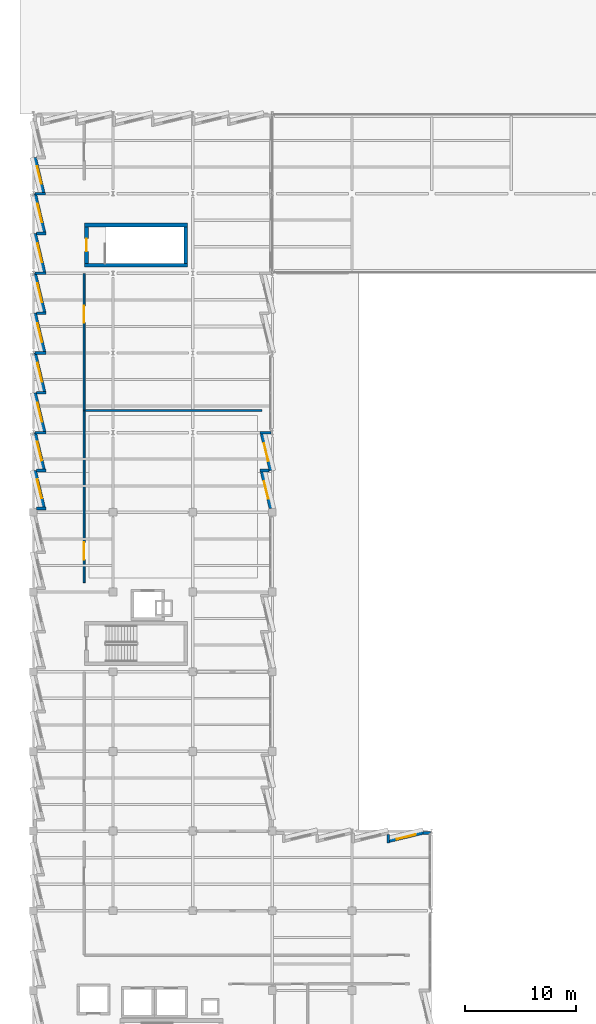
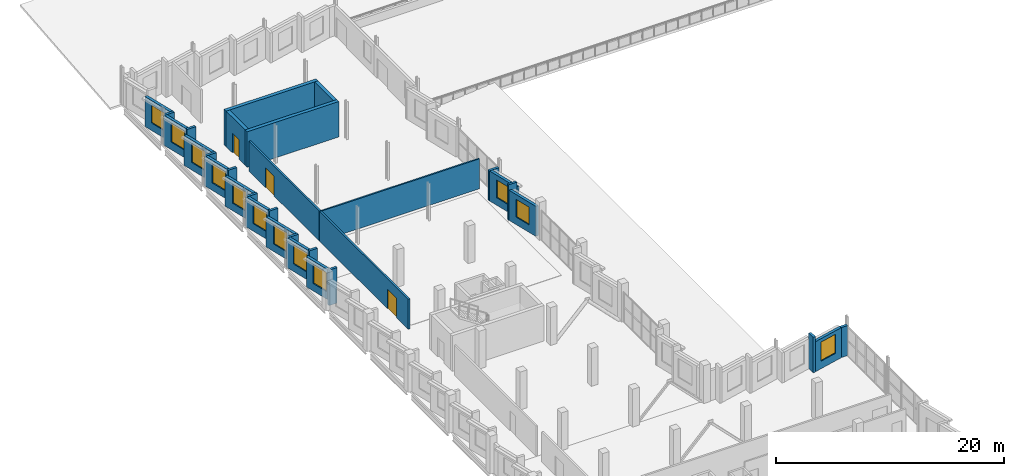
# One storey, part 32 of 38: 32 walls, 12 windows, 3 doors, 15 openings.
"""IFC4 building model written with IfcOpenShell, lengths in metres."""

from ifc_helpers import new_model, si_unit, direction, frame, frame_2d, origin, place, context, subcontext, project, spatial, rectangle, extrude, material, layer, layer_set, type_object, element, fill, save


model = new_model("IFC4")

# Units and contexts
model_context = context("Model", 3, precision=1e-05, world=origin(), true_north=direction((0.0, 1.0)))
body_context = subcontext(model_context, "Body", "Model", "MODEL_VIEW")
ifc_project = project(units=[si_unit("LENGTHUNIT", "METRE"), si_unit("AREAUNIT", "SQUARE_METRE"), si_unit("VOLUMEUNIT", "CUBIC_METRE"), si_unit("PLANEANGLEUNIT", "RADIAN"), si_unit("MASSUNIT", "GRAM", prefix="KILO")], contexts=[model_context])

# Site, building, storey
site_placement = place(None, origin())
site = spatial("IfcSite", under=ifc_project, at=site_placement, CompositionType="ELEMENT")
building_placement = place(site_placement, origin())
building = spatial("IfcBuilding", under=site, at=building_placement, Name="Kalmorath City Hall", CompositionType="ELEMENT")
storey_placement = place(building_placement, frame((0.0, 0.0, 18.89990234375)))
storey = spatial("IfcBuildingStorey", under=building, at=storey_placement, Name="L04", CompositionType="ELEMENT", Elevation=18.89990234375)

# Walls
ifc_material_1 = material(Name="Concrete C50/60", Category="concrete")
ifc_layer_1 = layer(ifc_material_1, 0.35009765625)
ifc_layer_set_1 = layer_set([ifc_layer_1], Name="Concrete C50/60")
wall_type_1 = type_object("IfcWallType", Name="Concrete core shear wall 350", PredefinedType="SHEAR", material=ifc_layer_set_1)
for number, where, z_axis, x_axis, name in (
    (1, (4.64990234375, 87.125, 0.0), (0.0, 0.0, 1.0), (1.0, 0.0, 0.0), "L04 C4 stair core shear wall S"),
    (2, (13.949951171875, 90.77490234375, 0.0), (0.0, 0.0, 1.0), (-1.0, 0.0, 0.0), "L04 C4 stair core shear wall N"),
):
    element("IfcWall", number, at=place(storey_placement, frame(where, z_axis=z_axis, x_axis=x_axis)), inside=storey, type_object=wall_type_1, Name=name, PredefinedType="SHEAR", context=body_context, shape_type="SweptSolid", body=[
        extrude(rectangle(XDim=9.300048828125, YDim=0.35009765625, at=frame_2d((4.64990234375, 0.0))), origin(), (0.0, 0.0, 1.0), 3.800048828125),
    ])

# Wall, opening, door
wall_1_placement = place(storey_placement, frame((4.824951171875, 90.60009765625, 0.0), z_axis=(0.0, 0.0, 1.0), x_axis=(0.0, -1.0, 0.0)))
wall_1 = element("IfcWall", 3, at=wall_1_placement, inside=storey, type_object=wall_type_1, Name="L04 C4 stair core shear wall W", PredefinedType="SHEAR", context=body_context, shape_type="SweptSolid", body=[
    extrude(rectangle(XDim=3.300048828125, YDim=0.35009765625, at=frame_2d((1.64990234375, 0.0))), origin(), (0.0, 0.0, 1.0), 3.800048828125),
])
opening_1_placement = place(wall_1_placement, frame((1.074951171875, 0.0, 0.0)))
opening_1 = element("IfcOpeningElement", 4, at=opening_1_placement, cuts=wall_1, Name="Opening D-L04-084", PredefinedType="OPENING", context=body_context, shape_type="SweptSolid", body=[
    extrude(rectangle(XDim=1.14990234375, YDim=2.10009765625, at=frame_2d((0.574951171875, 1.050048828125))), frame((0.0, 0.18505859375, 0.0), z_axis=(0.0, -1.0, 0.0), x_axis=(1.0, 0.0, 0.0)), (0.0, 0.0, 1.0), 0.3701171875),
])
ifc_material_2 = material(Name="Galvanised steel fire door", Category="steel")
door_type_1 = type_object("IfcDoorType", Name="Stair enclosure 90-min fire door 1150x2100", OperationType="NOTDEFINED", PredefinedType="DOOR", material=ifc_material_2)
door_1_placement = place(opening_1_placement, frame((1.14990234375, 0.0, 0.0), z_axis=(0.0, 0.0, 1.0), x_axis=(-1.0, 0.0, 0.0)))
door_1 = element("IfcDoor", 5, at=door_1_placement, inside=storey, type_object=door_type_1, Name="L04 door D-L04-084", OperationType="SINGLE_SWING_RIGHT", OverallHeight=2.10009765625, OverallWidth=1.14990234375, PredefinedType="DOOR", context=body_context, shape_type="SweptSolid", body=[
    extrude(rectangle(XDim=1.14990234375, YDim=2.10009765625, at=frame_2d((0.574951171875, 1.050048828125))), frame((0.0, 0.02490234375, 0.0), z_axis=(0.0, -1.0, 0.0), x_axis=(1.0, 0.0, 0.0)), (0.0, 0.0, 1.0), 0.050048828125),
])
fill(opening_1, door_1)

# Walls
wall_2_placement = place(storey_placement, frame((13.77490234375, 87.300048828125, 0.0), z_axis=(0.0, 0.0, 1.0), x_axis=(0.0, 1.0, 0.0)))
element("IfcWall", 6, at=wall_2_placement, inside=storey, type_object=wall_type_1, Name="L04 C4 stair core shear wall E", PredefinedType="SHEAR", context=body_context, shape_type="SweptSolid", body=[
    extrude(rectangle(XDim=3.300048828125, YDim=0.35009765625, at=frame_2d((1.64990234375, 0.0))), origin(), (0.0, 0.0, 1.0), 3.800048828125),
])
ifc_material_3 = material(Name="Acoustic metal-stud gypsum partition")
ifc_layer_2 = layer(ifc_material_3, 0.14990234375)
ifc_layer_set_2 = layer_set([ifc_layer_2], Name="Acoustic metal-stud gypsum partition")
wall_type_2 = type_object("IfcWallType", Name="Departmental suite partition 150", PredefinedType="PARTITIONING", material=ifc_layer_set_2)
wall_3_placement = place(storey_placement, frame((4.639892578125, 74.0, 0.0), z_axis=(0.0, 0.0, 1.0), x_axis=(1.0, 0.0, 0.0)))
element("IfcWall", 7, at=wall_3_placement, inside=storey, type_object=wall_type_2, Name="L04 interior partition PW4 #167", PredefinedType="PARTITIONING", context=body_context, shape_type="SweptSolid", body=[
    extrude(rectangle(XDim=16.02001953125, YDim=0.14990234375, at=frame_2d((8.010009765625, 0.0))), origin(), (0.0, 0.0, 1.0), 3.2060546875),
])

# Wall, opening, door
ifc_material_4 = material(Name="Fire-rated acoustic gypsum partition")
ifc_layer_3 = layer(ifc_material_4, 0.179931640625)
ifc_layer_set_3 = layer_set([ifc_layer_3], Name="Fire-rated acoustic gypsum partition")
wall_type_3 = type_object("IfcWallType", Name="One-hour corridor fire partition 180", PredefinedType="PARTITIONING", material=ifc_layer_set_3)
wall_4_placement = place(storey_placement, frame((4.60009765625, 58.43994140625, 0.0), z_axis=(0.0, 0.0, 1.0), x_axis=(0.0, 1.0, 0.0)))
wall_4 = element("IfcWall", 8, at=wall_4_placement, inside=storey, type_object=wall_type_3, Name="L04 interior partition PW2 #158", PredefinedType="PARTITIONING", context=body_context, shape_type="SweptSolid", body=[
    extrude(rectangle(XDim=15.52001953125, YDim=0.179931640625, at=frame_2d((7.760009765625, 0.0))), origin(), (0.0, 0.0, 1.0), 3.2080078125),
])
opening_2_placement = place(wall_4_placement, frame((2.054931640625, 0.0, 0.0)))
opening_2 = element("IfcOpeningElement", 9, at=opening_2_placement, cuts=wall_4, Name="Opening D-L04-246", PredefinedType="OPENING", context=body_context, shape_type="SweptSolid", body=[
    extrude(rectangle(XDim=1.60009765625, YDim=2.10009765625, at=frame_2d((0.800048828125, 1.050048828125))), frame((0.0, 0.099853515625, 0.0), z_axis=(0.0, -1.0, 0.0), x_axis=(1.0, 0.0, 0.0)), (0.0, 0.0, 1.0), 0.199951171875),
])
ifc_material_5 = material(Name="Acoustic hardwood fire door", Category="wood")
door_type_2 = type_object("IfcDoorType", Name="Committee double fire door 1600x2100", OperationType="DOUBLE_DOOR_SINGLE_SWING", PredefinedType="DOOR", material=ifc_material_5)
door_2_placement = place(opening_2_placement, origin())
door_2 = element("IfcDoor", 10, at=door_2_placement, inside=storey, type_object=door_type_2, Name="L04 door D-L04-246", OperationType="DOUBLE_DOOR_SINGLE_SWING", OverallHeight=2.10009765625, OverallWidth=1.60009765625, PredefinedType="DOOR", context=body_context, shape_type="SweptSolid", body=[
    extrude(rectangle(XDim=1.60009765625, YDim=2.10009765625, at=frame_2d((0.800048828125, 1.050048828125))), frame((0.0, 0.02490234375, 0.0), z_axis=(0.0, -1.0, 0.0), x_axis=(1.0, 0.0, 0.0)), (0.0, 0.0, 1.0), 0.050048828125),
])
fill(opening_2, door_2)

wall_5_placement = place(storey_placement, frame((4.60009765625, 74.0400390625, 0.0), z_axis=(0.0, 0.0, 1.0), x_axis=(0.0, 1.0, 0.0)))
wall_5 = element("IfcWall", 11, at=wall_5_placement, inside=storey, type_object=wall_type_3, Name="L04 interior partition PW2 #159", PredefinedType="PARTITIONING", context=body_context, shape_type="SweptSolid", body=[
    extrude(rectangle(XDim=12.320068359375, YDim=0.179931640625, at=frame_2d((6.16015625, 0.0))), origin(), (0.0, 0.0, 1.0), 3.2080078125),
])
opening_3_placement = place(wall_5_placement, frame((7.905029296875, 0.0, 0.0)))
opening_3 = element("IfcOpeningElement", 12, at=opening_3_placement, cuts=wall_5, Name="Opening D-L04-247", PredefinedType="OPENING", context=body_context, shape_type="SweptSolid", body=[
    extrude(rectangle(XDim=1.5, YDim=2.10009765625, at=frame_2d((0.75, 1.050048828125))), frame((0.0, 0.099853515625, 0.0), z_axis=(0.0, -1.0, 0.0), x_axis=(1.0, 0.0, 0.0)), (0.0, 0.0, 1.0), 0.199951171875),
])
ifc_material_6 = material(Name="Hardwood veneer door", Category="wood")
door_type_3 = type_object("IfcDoorType", Name="Conference suite double door 1500x2100", OperationType="DOUBLE_DOOR_SINGLE_SWING", PredefinedType="DOOR", material=ifc_material_6)
door_3_placement = place(opening_3_placement, origin())
door_3 = element("IfcDoor", 13, at=door_3_placement, inside=storey, type_object=door_type_3, Name="L04 door D-L04-247", OperationType="DOUBLE_DOOR_SINGLE_SWING", OverallHeight=2.10009765625, OverallWidth=1.5, PredefinedType="DOOR", context=body_context, shape_type="SweptSolid", body=[
    extrude(rectangle(XDim=1.5, YDim=2.10009765625, at=frame_2d((0.75, 1.050048828125))), frame((0.0, 0.02490234375, 0.0), z_axis=(0.0, -1.0, 0.0), x_axis=(1.0, 0.0, 0.0)), (0.0, 0.0, 1.0), 0.050048828125),
])
fill(opening_3, door_3)

# Walls
ifc_material_7 = material(Name="Precast concrete C40/50", Category="concrete")
ifc_layer_4 = layer(ifc_material_7, 0.239990234375)
ifc_layer_set_4 = layer_set([ifc_layer_4], Name="Precast concrete C40/50")
wall_type_4 = type_object("IfcWallType", Name="Precast sawtooth cheek wall 240", PredefinedType="SOLIDWALL", material=ifc_layer_set_4)
for number, where, z_axis, x_axis, name in (
    (14, (1.127197265625, 65.15087890625, 0.0), (0.0, 0.0, 1.0), (-1.0, 0.0, 0.0), "L04 sawtooth return cheek #783"),
    (15, (1.127197265625, 68.575439453125, 0.0), (0.0, 0.0, 1.0), (-1.0, 0.0, 0.0), "L04 sawtooth return cheek #785"),
):
    element("IfcWall", number, at=place(storey_placement, frame(where, z_axis=z_axis, x_axis=x_axis)), inside=storey, type_object=wall_type_4, Name=name, PredefinedType="SOLIDWALL", context=body_context, shape_type="SweptSolid", body=[
        extrude(rectangle(XDim=0.835205078125, YDim=0.239990234375, at=frame_2d((0.41748046875, 0.0))), origin(), (0.0, 0.0, 1.0), 3.800048828125),
    ])
wall_6_placement = place(storey_placement, frame((1.169189453125, 72.0, 0.0), z_axis=(0.0, 0.0, 1.0), x_axis=(-1.0, 0.0, 0.0)))
element("IfcWall", 16, at=wall_6_placement, inside=storey, type_object=wall_type_4, Name="L04 sawtooth return cheek #787", PredefinedType="SOLIDWALL", context=body_context, shape_type="SweptSolid", body=[
    extrude(rectangle(XDim=1.029296875, YDim=0.239990234375, at=frame_2d((0.5146484375, 0.0))), origin(), (0.0, 0.0, 1.0), 3.2080078125),
])
wall_7_placement = place(storey_placement, frame((1.169189453125, 75.60009765625, 0.0), z_axis=(0.0, 0.0, 1.0), x_axis=(-1.0, 0.0, 0.0)))
element("IfcWall", 17, at=wall_7_placement, inside=storey, type_object=wall_type_4, Name="L04 sawtooth return cheek #789", PredefinedType="SOLIDWALL", context=body_context, shape_type="SweptSolid", body=[
    extrude(rectangle(XDim=0.877197265625, YDim=0.239990234375, at=frame_2d((0.4384765625, 0.0))), origin(), (0.0, 0.0, 1.0), 3.800048828125),
])
wall_8_placement = place(storey_placement, frame((1.169189453125, 79.199951171875, 0.0), z_axis=(0.0, 0.0, 1.0), x_axis=(-1.0, 0.0, 0.0)))
element("IfcWall", 18, at=wall_8_placement, inside=storey, type_object=wall_type_4, Name="L04 sawtooth return cheek #791", PredefinedType="SOLIDWALL", context=body_context, shape_type="SweptSolid", body=[
    extrude(rectangle(XDim=1.029296875, YDim=0.239990234375, at=frame_2d((0.5146484375, 0.0))), origin(), (0.0, 0.0, 1.0), 3.2080078125),
])
wall_9_placement = place(storey_placement, frame((1.169189453125, 82.800048828125, 0.0), z_axis=(0.0, 0.0, 1.0), x_axis=(-1.0, 0.0, 0.0)))
element("IfcWall", 19, at=wall_9_placement, inside=storey, type_object=wall_type_4, Name="L04 sawtooth return cheek #793", PredefinedType="SOLIDWALL", context=body_context, shape_type="SweptSolid", body=[
    extrude(rectangle(XDim=0.877197265625, YDim=0.239990234375, at=frame_2d((0.4384765625, 0.0))), origin(), (0.0, 0.0, 1.0), 3.800048828125),
])
wall_10_placement = place(storey_placement, frame((1.169189453125, 86.39990234375, 0.0), z_axis=(0.0, 0.0, 1.0), x_axis=(-1.0, 0.0, 0.0)))
element("IfcWall", 20, at=wall_10_placement, inside=storey, type_object=wall_type_4, Name="L04 sawtooth return cheek #795", PredefinedType="SOLIDWALL", context=body_context, shape_type="SweptSolid", body=[
    extrude(rectangle(XDim=1.029296875, YDim=0.239990234375, at=frame_2d((0.5146484375, 0.0))), origin(), (0.0, 0.0, 1.0), 3.2080078125),
])
wall_11_placement = place(storey_placement, frame((1.169189453125, 90.0, 0.0), z_axis=(0.0, 0.0, 1.0), x_axis=(-1.0, 0.0, 0.0)))
element("IfcWall", 21, at=wall_11_placement, inside=storey, type_object=wall_type_4, Name="L04 sawtooth return cheek #797", PredefinedType="SOLIDWALL", context=body_context, shape_type="SweptSolid", body=[
    extrude(rectangle(XDim=0.877197265625, YDim=0.239990234375, at=frame_2d((0.4384765625, 0.0))), origin(), (0.0, 0.0, 1.0), 3.800048828125),
])
wall_12_placement = place(storey_placement, frame((1.087646484375, 93.60009765625, 0.0), z_axis=(0.0, 0.0, 1.0), x_axis=(-1.0, 0.0, 0.0)))
element("IfcWall", 22, at=wall_12_placement, inside=storey, type_object=wall_type_4, Name="L04 sawtooth return cheek #800", PredefinedType="SOLIDWALL", context=body_context, shape_type="SweptSolid", body=[
    extrude(rectangle(XDim=0.94775390625, YDim=0.239990234375, at=frame_2d((0.473876953125, 0.0))), origin(), (0.0, 0.0, 1.0), 3.2080078125),
])
wall_13_placement = place(storey_placement, frame((20.472900390625, 72.0, 0.0), z_axis=(0.0, 0.0, 1.0), x_axis=(1.0, 0.0, 0.0)))
element("IfcWall", 23, at=wall_13_placement, inside=storey, type_object=wall_type_4, Name="L04 sawtooth return cheek #824", PredefinedType="SOLIDWALL", context=body_context, shape_type="SweptSolid", body=[
    extrude(rectangle(XDim=0.987060546875, YDim=0.239990234375, at=frame_2d((0.49365234375, 0.0))), origin(), (0.0, 0.0, 1.0), 3.2080078125),
])
wall_14_placement = place(storey_placement, frame((20.472900390625, 68.575439453125, 0.0), z_axis=(0.0, 0.0, 1.0), x_axis=(1.0, 0.0, 0.0)))
element("IfcWall", 24, at=wall_14_placement, inside=storey, type_object=wall_type_4, Name="L04 sawtooth return cheek #826", PredefinedType="SOLIDWALL", context=body_context, shape_type="SweptSolid", body=[
    extrude(rectangle(XDim=0.835205078125, YDim=0.239990234375, at=frame_2d((0.41748046875, 0.0))), origin(), (0.0, 0.0, 1.0), 3.800048828125),
])
wall_15_placement = place(storey_placement, frame((32.06005859375, 34.93701171875, 0.0), z_axis=(0.0, 0.0, 1.0), x_axis=(0.0, 1.0, 0.0)))
element("IfcWall", 25, at=wall_15_placement, inside=storey, type_object=wall_type_4, Name="L04 sawtooth return cheek #845", PredefinedType="SOLIDWALL", context=body_context, shape_type="SweptSolid", body=[
    extrude(rectangle(XDim=0.77099609375, YDim=0.239990234375, at=frame_2d((0.385498046875, 0.0))), origin(), (0.0, 0.0, 1.0), 3.800048828125),
])

# Wall, opening, window
ifc_material_8 = material(Name="Precast concrete C40/50", Category="concrete")
ifc_layer_5 = layer(ifc_material_8, 0.280029296875)
ifc_layer_set_5 = layer_set([ifc_layer_5], Name="Precast concrete C40/50")
wall_type_5 = type_object("IfcWallType", Name="Precast sawtooth facade wall 280", PredefinedType="SOLIDWALL", material=ifc_layer_set_5)
wall_16_placement = place(storey_placement, frame((0.9599609375, 65.243408203125, 0.0), z_axis=(0.0, 0.0, 1.0), x_axis=(-0.233472652325, 0.972363368611, 0.0)))
wall_16 = element("IfcWall", 26, at=wall_16_placement, inside=storey, type_object=wall_type_5, Name="L04 sawtooth precast frame #782", PredefinedType="SOLIDWALL", context=body_context, shape_type="SweptSolid", body=[
    extrude(rectangle(XDim=3.4267578125, YDim=0.280029296875, at=frame_2d((1.71337890625, 0.0))), origin(), (0.0, 0.0, 1.0), 3.216064453125),
])
opening_4_placement = place(wall_16_placement, frame((0.83837890625, 0.0, 0.800048828125)))
opening_4 = element("IfcOpeningElement", 27, at=opening_4_placement, cuts=wall_16, Name="Opening WN1", PredefinedType="OPENING", context=body_context, shape_type="SweptSolid", body=[
    extrude(rectangle(XDim=1.75, YDim=2.050048828125, at=frame_2d((0.875, 1.02490234375))), frame((0.0, 0.14990234375, 0.0), z_axis=(0.0, -1.0, 0.0), x_axis=(1.0, 0.0, 0.0)), (0.0, 0.0, 1.0), 0.300048828125),
])
ifc_material_9 = material(Name="Aluminium and laminated glass", Category="aluminium")
window_type_1 = type_object("IfcWindowType", Name="Sawtooth hurricane window 1750x2050", PartitioningType="SINGLE_PANEL", PredefinedType="WINDOW", material=ifc_material_9)
window_1_placement = place(opening_4_placement, origin())
window_1 = element("IfcWindow", 28, at=window_1_placement, inside=storey, type_object=window_type_1, Name="L04 window WN1-410", OverallHeight=2.050048828125, OverallWidth=1.75, PartitioningType="SINGLE_PANEL", PredefinedType="WINDOW", context=body_context, shape_type="SweptSolid", body=[
    extrude(rectangle(XDim=1.75, YDim=2.050048828125, at=frame_2d((0.875, 1.02490234375))), frame((0.0, 0.030029296875, 0.0), z_axis=(0.0, -1.0, 0.0), x_axis=(1.0, 0.0, 0.0)), (0.0, 0.0, 1.0), 0.06005859375),
])
fill(opening_4, window_1)

wall_17_placement = place(storey_placement, frame((0.9599609375, 68.66796875, 0.0), z_axis=(0.0, 0.0, 1.0), x_axis=(-0.233472652325, 0.972363368611, 0.0)))
wall_17 = element("IfcWall", 29, at=wall_17_placement, inside=storey, type_object=wall_type_5, Name="L04 sawtooth precast frame #784", PredefinedType="SOLIDWALL", context=body_context, shape_type="SweptSolid", body=[
    extrude(rectangle(XDim=3.4267578125, YDim=0.280029296875, at=frame_2d((1.71337890625, 0.0))), origin(), (0.0, 0.0, 1.0), 3.2080078125),
])
opening_5_placement = place(wall_17_placement, frame((0.83837890625, 0.0, 0.800048828125)))
opening_5 = element("IfcOpeningElement", 30, at=opening_5_placement, cuts=wall_17, Name="Opening WN1", PredefinedType="OPENING", context=body_context, shape_type="SweptSolid", body=[
    extrude(rectangle(XDim=1.75, YDim=2.050048828125, at=frame_2d((0.875, 1.02490234375))), frame((0.0, 0.14990234375, 0.0), z_axis=(0.0, -1.0, 0.0), x_axis=(1.0, 0.0, 0.0)), (0.0, 0.0, 1.0), 0.300048828125),
])
window_2_placement = place(opening_5_placement, origin())
window_2 = element("IfcWindow", 31, at=window_2_placement, inside=storey, type_object=window_type_1, Name="L04 window WN1-411", OverallHeight=2.050048828125, OverallWidth=1.75, PartitioningType="SINGLE_PANEL", PredefinedType="WINDOW", context=body_context, shape_type="SweptSolid", body=[
    extrude(rectangle(XDim=1.75, YDim=2.050048828125, at=frame_2d((0.875, 1.02490234375))), frame((0.0, 0.030029296875, 0.0), z_axis=(0.0, -1.0, 0.0), x_axis=(1.0, 0.0, 0.0)), (0.0, 0.0, 1.0), 0.06005859375),
])
fill(opening_5, window_2)

wall_18_placement = place(storey_placement, frame((1.002197265625, 72.09228515625, 0.0), z_axis=(0.0, 0.0, 1.0), x_axis=(-0.233480453725, 0.972361495396, 0.0)))
wall_18 = element("IfcWall", 32, at=wall_18_placement, inside=storey, type_object=wall_type_5, Name="L04 sawtooth precast frame #786", PredefinedType="SOLIDWALL", context=body_context, shape_type="SweptSolid", body=[
    extrude(rectangle(XDim=3.607421875, YDim=0.280029296875, at=frame_2d((1.8037109375, 0.0))), origin(), (0.0, 0.0, 1.0), 3.2080078125),
])
opening_6_placement = place(wall_18_placement, frame((0.9287109375, 0.0, 0.800048828125)))
opening_6 = element("IfcOpeningElement", 33, at=opening_6_placement, cuts=wall_18, Name="Opening WN1", PredefinedType="OPENING", context=body_context, shape_type="SweptSolid", body=[
    extrude(rectangle(XDim=1.75, YDim=2.050048828125, at=frame_2d((0.875, 1.02490234375))), frame((0.0, 0.14990234375, 0.0), z_axis=(0.0, -1.0, 0.0), x_axis=(1.0, 0.0, 0.0)), (0.0, 0.0, 1.0), 0.300048828125),
])
window_3_placement = place(opening_6_placement, origin())
window_3 = element("IfcWindow", 34, at=window_3_placement, inside=storey, type_object=window_type_1, Name="L04 window WN1-412", OverallHeight=2.050048828125, OverallWidth=1.75, PartitioningType="SINGLE_PANEL", PredefinedType="WINDOW", context=body_context, shape_type="SweptSolid", body=[
    extrude(rectangle(XDim=1.75, YDim=2.050048828125, at=frame_2d((0.875, 1.02490234375))), frame((0.0, 0.030029296875, 0.0), z_axis=(0.0, -1.0, 0.0), x_axis=(1.0, 0.0, 0.0)), (0.0, 0.0, 1.0), 0.06005859375),
])
fill(opening_6, window_3)

wall_19_placement = place(storey_placement, frame((1.002197265625, 75.6923828125, 0.0), z_axis=(0.0, 0.0, 1.0), x_axis=(-0.233495818898, 0.972357805829, 0.0)))
wall_19 = element("IfcWall", 35, at=wall_19_placement, inside=storey, type_object=wall_type_5, Name="L04 sawtooth precast frame #788", PredefinedType="SOLIDWALL", context=body_context, shape_type="SweptSolid", body=[
    extrude(rectangle(XDim=3.607177734375, YDim=0.280029296875, at=frame_2d((1.8037109375, 0.0))), origin(), (0.0, 0.0, 1.0), 3.2080078125),
])
opening_7_placement = place(wall_19_placement, frame((0.9287109375, 0.0, 0.800048828125)))
opening_7 = element("IfcOpeningElement", 36, at=opening_7_placement, cuts=wall_19, Name="Opening WN1", PredefinedType="OPENING", context=body_context, shape_type="SweptSolid", body=[
    extrude(rectangle(XDim=1.75, YDim=2.050048828125, at=frame_2d((0.875, 1.02490234375))), frame((0.0, 0.14990234375, 0.0), z_axis=(0.0, -1.0, 0.0), x_axis=(1.0, 0.0, 0.0)), (0.0, 0.0, 1.0), 0.300048828125),
])
window_4_placement = place(opening_7_placement, origin())
window_4 = element("IfcWindow", 37, at=window_4_placement, inside=storey, type_object=window_type_1, Name="L04 window WN1-413", OverallHeight=2.050048828125, OverallWidth=1.75, PartitioningType="SINGLE_PANEL", PredefinedType="WINDOW", context=body_context, shape_type="SweptSolid", body=[
    extrude(rectangle(XDim=1.75, YDim=2.050048828125, at=frame_2d((0.875, 1.02490234375))), frame((0.0, 0.030029296875, 0.0), z_axis=(0.0, -1.0, 0.0), x_axis=(1.0, 0.0, 0.0)), (0.0, 0.0, 1.0), 0.06005859375),
])
fill(opening_7, window_4)

wall_20_placement = place(storey_placement, frame((1.002197265625, 79.29248046875, 0.0), z_axis=(0.0, 0.0, 1.0), x_axis=(-0.233495818898, 0.972357805829, 0.0)))
wall_20 = element("IfcWall", 38, at=wall_20_placement, inside=storey, type_object=wall_type_5, Name="L04 sawtooth precast frame #790", PredefinedType="SOLIDWALL", context=body_context, shape_type="SweptSolid", body=[
    extrude(rectangle(XDim=3.607177734375, YDim=0.280029296875, at=frame_2d((1.8037109375, 0.0))), origin(), (0.0, 0.0, 1.0), 3.2080078125),
])
opening_8_placement = place(wall_20_placement, frame((0.9287109375, 0.0, 0.800048828125)))
opening_8 = element("IfcOpeningElement", 39, at=opening_8_placement, cuts=wall_20, Name="Opening WN1", PredefinedType="OPENING", context=body_context, shape_type="SweptSolid", body=[
    extrude(rectangle(XDim=1.75, YDim=2.050048828125, at=frame_2d((0.875, 1.02490234375))), frame((0.0, 0.14990234375, 0.0), z_axis=(0.0, -1.0, 0.0), x_axis=(1.0, 0.0, 0.0)), (0.0, 0.0, 1.0), 0.300048828125),
])
window_5_placement = place(opening_8_placement, origin())
window_5 = element("IfcWindow", 40, at=window_5_placement, inside=storey, type_object=window_type_1, Name="L04 window WN1-414", OverallHeight=2.050048828125, OverallWidth=1.75, PartitioningType="SINGLE_PANEL", PredefinedType="WINDOW", context=body_context, shape_type="SweptSolid", body=[
    extrude(rectangle(XDim=1.75, YDim=2.050048828125, at=frame_2d((0.875, 1.02490234375))), frame((0.0, 0.030029296875, 0.0), z_axis=(0.0, -1.0, 0.0), x_axis=(1.0, 0.0, 0.0)), (0.0, 0.0, 1.0), 0.06005859375),
])
fill(opening_8, window_5)

wall_21_placement = place(storey_placement, frame((1.002197265625, 82.892333984375, 0.0), z_axis=(0.0, 0.0, 1.0), x_axis=(-0.233495818898, 0.972357805829, 0.0)))
wall_21 = element("IfcWall", 41, at=wall_21_placement, inside=storey, type_object=wall_type_5, Name="L04 sawtooth precast frame #792", PredefinedType="SOLIDWALL", context=body_context, shape_type="SweptSolid", body=[
    extrude(rectangle(XDim=3.607177734375, YDim=0.280029296875, at=frame_2d((1.8037109375, 0.0))), origin(), (0.0, 0.0, 1.0), 3.2080078125),
])
opening_9_placement = place(wall_21_placement, frame((0.9287109375, 0.0, 0.800048828125)))
opening_9 = element("IfcOpeningElement", 42, at=opening_9_placement, cuts=wall_21, Name="Opening WN1", PredefinedType="OPENING", context=body_context, shape_type="SweptSolid", body=[
    extrude(rectangle(XDim=1.75, YDim=2.050048828125, at=frame_2d((0.875, 1.02490234375))), frame((0.0, 0.14990234375, 0.0), z_axis=(0.0, -1.0, 0.0), x_axis=(1.0, 0.0, 0.0)), (0.0, 0.0, 1.0), 0.300048828125),
])
window_6_placement = place(opening_9_placement, origin())
window_6 = element("IfcWindow", 43, at=window_6_placement, inside=storey, type_object=window_type_1, Name="L04 window WN1-415", OverallHeight=2.050048828125, OverallWidth=1.75, PartitioningType="SINGLE_PANEL", PredefinedType="WINDOW", context=body_context, shape_type="SweptSolid", body=[
    extrude(rectangle(XDim=1.75, YDim=2.050048828125, at=frame_2d((0.875, 1.02490234375))), frame((0.0, 0.030029296875, 0.0), z_axis=(0.0, -1.0, 0.0), x_axis=(1.0, 0.0, 0.0)), (0.0, 0.0, 1.0), 0.06005859375),
])
fill(opening_9, window_6)

wall_22_placement = place(storey_placement, frame((1.002197265625, 86.492431640625, 0.0), z_axis=(0.0, 0.0, 1.0), x_axis=(-0.233495818898, 0.972357805829, 0.0)))
wall_22 = element("IfcWall", 44, at=wall_22_placement, inside=storey, type_object=wall_type_5, Name="L04 sawtooth precast frame #794", PredefinedType="SOLIDWALL", context=body_context, shape_type="SweptSolid", body=[
    extrude(rectangle(XDim=3.607177734375, YDim=0.280029296875, at=frame_2d((1.8037109375, 0.0))), origin(), (0.0, 0.0, 1.0), 3.2080078125),
])
opening_10_placement = place(wall_22_placement, frame((0.9287109375, 0.0, 0.800048828125)))
opening_10 = element("IfcOpeningElement", 45, at=opening_10_placement, cuts=wall_22, Name="Opening WN1", PredefinedType="OPENING", context=body_context, shape_type="SweptSolid", body=[
    extrude(rectangle(XDim=1.75, YDim=2.050048828125, at=frame_2d((0.875, 1.02490234375))), frame((0.0, 0.14990234375, 0.0), z_axis=(0.0, -1.0, 0.0), x_axis=(1.0, 0.0, 0.0)), (0.0, 0.0, 1.0), 0.300048828125),
])
window_7_placement = place(opening_10_placement, origin())
window_7 = element("IfcWindow", 46, at=window_7_placement, inside=storey, type_object=window_type_1, Name="L04 window WN1-416", OverallHeight=2.050048828125, OverallWidth=1.75, PartitioningType="SINGLE_PANEL", PredefinedType="WINDOW", context=body_context, shape_type="SweptSolid", body=[
    extrude(rectangle(XDim=1.75, YDim=2.050048828125, at=frame_2d((0.875, 1.02490234375))), frame((0.0, 0.030029296875, 0.0), z_axis=(0.0, -1.0, 0.0), x_axis=(1.0, 0.0, 0.0)), (0.0, 0.0, 1.0), 0.06005859375),
])
fill(opening_10, window_7)

wall_23_placement = place(storey_placement, frame((1.002197265625, 90.09228515625, 0.0), z_axis=(0.0, 0.0, 1.0), x_axis=(-0.233480453725, 0.972361495396, 0.0)))
wall_23 = element("IfcWall", 47, at=wall_23_placement, inside=storey, type_object=wall_type_5, Name="L04 sawtooth precast frame #796", PredefinedType="SOLIDWALL", context=body_context, shape_type="SweptSolid", body=[
    extrude(rectangle(XDim=3.607421875, YDim=0.280029296875, at=frame_2d((1.8037109375, 0.0))), origin(), (0.0, 0.0, 1.0), 3.2080078125),
])
opening_11_placement = place(wall_23_placement, frame((0.9287109375, 0.0, 0.800048828125)))
opening_11 = element("IfcOpeningElement", 48, at=opening_11_placement, cuts=wall_23, Name="Opening WN1", PredefinedType="OPENING", context=body_context, shape_type="SweptSolid", body=[
    extrude(rectangle(XDim=1.75, YDim=2.050048828125, at=frame_2d((0.875, 1.02490234375))), frame((0.0, 0.14990234375, 0.0), z_axis=(0.0, -1.0, 0.0), x_axis=(1.0, 0.0, 0.0)), (0.0, 0.0, 1.0), 0.300048828125),
])
window_8_placement = place(opening_11_placement, origin())
window_8 = element("IfcWindow", 49, at=window_8_placement, inside=storey, type_object=window_type_1, Name="L04 window WN1-417", OverallHeight=2.050048828125, OverallWidth=1.75, PartitioningType="SINGLE_PANEL", PredefinedType="WINDOW", context=body_context, shape_type="SweptSolid", body=[
    extrude(rectangle(XDim=1.75, YDim=2.050048828125, at=frame_2d((0.875, 1.02490234375))), frame((0.0, 0.030029296875, 0.0), z_axis=(0.0, -1.0, 0.0), x_axis=(1.0, 0.0, 0.0)), (0.0, 0.0, 1.0), 0.06005859375),
])
fill(opening_11, window_8)

wall_24_placement = place(storey_placement, frame((0.92041015625, 93.6923828125, 0.0), z_axis=(0.0, 0.0, 1.0), x_axis=(-0.233443812137, 0.972370292931, 0.0)))
wall_24 = element("IfcWall", 50, at=wall_24_placement, inside=storey, type_object=wall_type_5, Name="L04 sawtooth precast frame #799", PredefinedType="SOLIDWALL", context=body_context, shape_type="SweptSolid", body=[
    extrude(rectangle(XDim=3.2578125, YDim=0.280029296875, at=frame_2d((1.62890625, 0.0))), origin(), (0.0, 0.0, 1.0), 3.2080078125),
])
opening_12_placement = place(wall_24_placement, frame((0.8037109375, 0.0, 0.800048828125)))
opening_12 = element("IfcOpeningElement", 51, at=opening_12_placement, cuts=wall_24, Name="Opening WN2", PredefinedType="OPENING", context=body_context, shape_type="SweptSolid", body=[
    extrude(rectangle(XDim=1.64990234375, YDim=1.89990234375, at=frame_2d((0.824951171875, 0.949951171875))), frame((0.0, 0.14990234375, 0.0), z_axis=(0.0, -1.0, 0.0), x_axis=(1.0, 0.0, 0.0)), (0.0, 0.0, 1.0), 0.300048828125),
])
ifc_material_10 = material(Name="Aluminium and laminated glass", Category="aluminium")
window_type_2 = type_object("IfcWindowType", Name="Sawtooth hurricane window 1650x1900", PartitioningType="SINGLE_PANEL", PredefinedType="WINDOW", material=ifc_material_10)
window_9_placement = place(opening_12_placement, origin())
window_9 = element("IfcWindow", 52, at=window_9_placement, inside=storey, type_object=window_type_2, Name="L04 window WN2-418", OverallHeight=1.89990234375, OverallWidth=1.64990234375, PartitioningType="SINGLE_PANEL", PredefinedType="WINDOW", context=body_context, shape_type="SweptSolid", body=[
    extrude(rectangle(XDim=1.64990234375, YDim=1.89990234375, at=frame_2d((0.824951171875, 0.949951171875))), frame((0.0, 0.030029296875, 0.0), z_axis=(0.0, -1.0, 0.0), x_axis=(1.0, 0.0, 0.0)), (0.0, 0.0, 1.0), 0.06005859375),
])
fill(opening_12, window_9)

wall_25_placement = place(storey_placement, frame((20.64013671875, 71.90771484375, 0.0), z_axis=(0.0, 0.0, 1.0), x_axis=(0.233389119334, -0.972383421792, 0.0)))
wall_25 = element("IfcWall", 53, at=wall_25_placement, inside=storey, type_object=wall_type_5, Name="L04 sawtooth precast frame #823", PredefinedType="SOLIDWALL", context=body_context, shape_type="SweptSolid", body=[
    extrude(rectangle(XDim=3.427001953125, YDim=0.280029296875, at=frame_2d((1.71337890625, 0.0))), origin(), (0.0, 0.0, 1.0), 3.2080078125),
])
opening_13_placement = place(wall_25_placement, frame((0.888427734375, 0.0, 0.800048828125)))
opening_13 = element("IfcOpeningElement", 54, at=opening_13_placement, cuts=wall_25, Name="Opening WN2", PredefinedType="OPENING", context=body_context, shape_type="SweptSolid", body=[
    extrude(rectangle(XDim=1.64990234375, YDim=1.89990234375, at=frame_2d((0.824951171875, 0.949951171875))), frame((0.0, 0.14990234375, 0.0), z_axis=(0.0, -1.0, 0.0), x_axis=(1.0, 0.0, 0.0)), (0.0, 0.0, 1.0), 0.300048828125),
])
window_10_placement = place(opening_13_placement, origin())
window_10 = element("IfcWindow", 55, at=window_10_placement, inside=storey, type_object=window_type_2, Name="L04 window WN2-430", OverallHeight=1.89990234375, OverallWidth=1.64990234375, PartitioningType="SINGLE_PANEL", PredefinedType="WINDOW", context=body_context, shape_type="SweptSolid", body=[
    extrude(rectangle(XDim=1.64990234375, YDim=1.89990234375, at=frame_2d((0.824951171875, 0.949951171875))), frame((0.0, 0.030029296875, 0.0), z_axis=(0.0, -1.0, 0.0), x_axis=(1.0, 0.0, 0.0)), (0.0, 0.0, 1.0), 0.06005859375),
])
fill(opening_13, window_10)

wall_26_placement = place(storey_placement, frame((20.64013671875, 68.483154296875, 0.0), z_axis=(0.0, 0.0, 1.0), x_axis=(0.233389119334, -0.972383421792, 0.0)))
wall_26 = element("IfcWall", 56, at=wall_26_placement, inside=storey, type_object=wall_type_5, Name="L04 sawtooth precast frame #825", PredefinedType="SOLIDWALL", context=body_context, shape_type="SweptSolid", body=[
    extrude(rectangle(XDim=3.427001953125, YDim=0.280029296875, at=frame_2d((1.71337890625, 0.0))), origin(), (0.0, 0.0, 1.0), 3.216064453125),
])
opening_14_placement = place(wall_26_placement, frame((0.888427734375, 0.0, 0.800048828125)))
opening_14 = element("IfcOpeningElement", 57, at=opening_14_placement, cuts=wall_26, Name="Opening WN2", PredefinedType="OPENING", context=body_context, shape_type="SweptSolid", body=[
    extrude(rectangle(XDim=1.64990234375, YDim=1.89990234375, at=frame_2d((0.824951171875, 0.949951171875))), frame((0.0, 0.14990234375, 0.0), z_axis=(0.0, -1.0, 0.0), x_axis=(1.0, 0.0, 0.0)), (0.0, 0.0, 1.0), 0.300048828125),
])
window_11_placement = place(opening_14_placement, origin())
window_11 = element("IfcWindow", 58, at=window_11_placement, inside=storey, type_object=window_type_2, Name="L04 window WN2-431", OverallHeight=1.89990234375, OverallWidth=1.64990234375, PartitioningType="SINGLE_PANEL", PredefinedType="WINDOW", context=body_context, shape_type="SweptSolid", body=[
    extrude(rectangle(XDim=1.64990234375, YDim=1.89990234375, at=frame_2d((0.824951171875, 0.949951171875))), frame((0.0, 0.030029296875, 0.0), z_axis=(0.0, -1.0, 0.0), x_axis=(1.0, 0.0, 0.0)), (0.0, 0.0, 1.0), 0.06005859375),
])
fill(opening_14, window_11)

wall_27_placement = place(storey_placement, frame((32.15234375, 35.104248046875, 0.0), z_axis=(0.0, 0.0, 1.0), x_axis=(0.972364797516, 0.233466701164, 0.0)))
wall_27 = element("IfcWall", 59, at=wall_27_placement, inside=storey, type_object=wall_type_5, Name="L04 sawtooth precast frame #844", PredefinedType="SOLIDWALL", context=body_context, shape_type="SweptSolid", body=[
    extrude(rectangle(XDim=3.15185546875, YDim=0.280029296875, at=frame_2d((1.575927734375, 0.0))), origin(), (0.0, 0.0, 1.0), 3.216064453125),
])
opening_15_placement = place(wall_27_placement, frame((0.700927734375, 0.0, 0.800048828125)))
opening_15 = element("IfcOpeningElement", 60, at=opening_15_placement, cuts=wall_27, Name="Opening WN1", PredefinedType="OPENING", context=body_context, shape_type="SweptSolid", body=[
    extrude(rectangle(XDim=1.75, YDim=2.050048828125, at=frame_2d((0.875, 1.02490234375))), frame((0.0, 0.14990234375, 0.0), z_axis=(0.0, -1.0, 0.0), x_axis=(1.0, 0.0, 0.0)), (0.0, 0.0, 1.0), 0.300048828125),
])
window_12_placement = place(opening_15_placement, origin())
window_12 = element("IfcWindow", 61, at=window_12_placement, inside=storey, type_object=window_type_1, Name="L04 window WN1-439", OverallHeight=2.050048828125, OverallWidth=1.75, PartitioningType="SINGLE_PANEL", PredefinedType="WINDOW", context=body_context, shape_type="SweptSolid", body=[
    extrude(rectangle(XDim=1.75, YDim=2.050048828125, at=frame_2d((0.875, 1.02490234375))), frame((0.0, 0.030029296875, 0.0), z_axis=(0.0, -1.0, 0.0), x_axis=(1.0, 0.0, 0.0)), (0.0, 0.0, 1.0), 0.06005859375),
])
fill(opening_15, window_12)

# Wall
ifc_material_11 = material(Name="Precast concrete C40/50", Category="concrete")
ifc_layer_6 = layer(ifc_material_11, 0.260009765625)
ifc_layer_set_6 = layer_set([ifc_layer_6], Name="Precast concrete C40/50")
wall_type_6 = type_object("IfcWallType", Name="Precast sawtooth return wall 260", PredefinedType="SOLIDWALL", material=ifc_layer_set_6)
wall_28_placement = place(storey_placement, frame((35.217041015625, 35.840087890625, 0.0), z_axis=(0.0, 0.0, 1.0), x_axis=(1.0, 0.0, 0.0)))
element("IfcWall", 62, at=wall_28_placement, inside=storey, type_object=wall_type_6, Name="L04 corner pier wall #841", PredefinedType="SOLIDWALL", context=body_context, shape_type="SweptSolid", body=[
    extrude(rectangle(XDim=0.679931640625, YDim=0.260009765625, at=frame_2d((0.33984375, 0.0))), origin(), (0.0, 0.0, 1.0), 3.216064453125),
])

save(model, "model.ifc")
